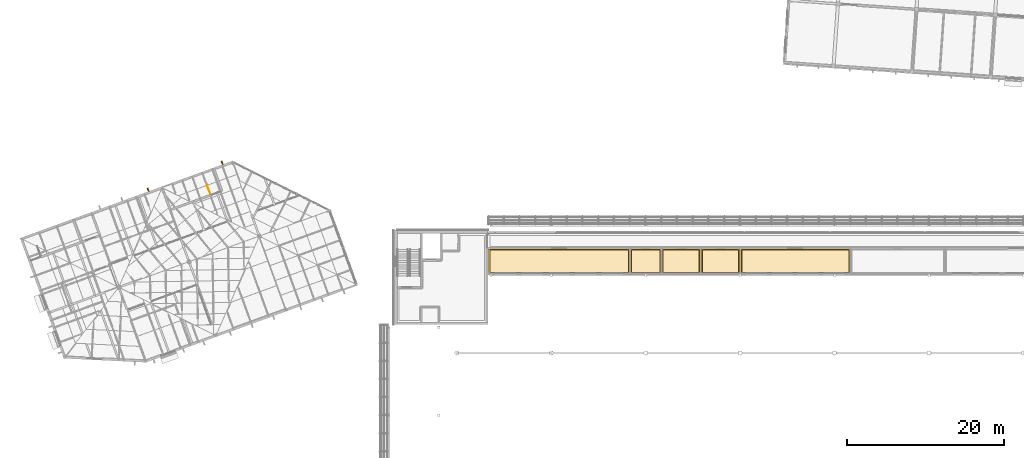
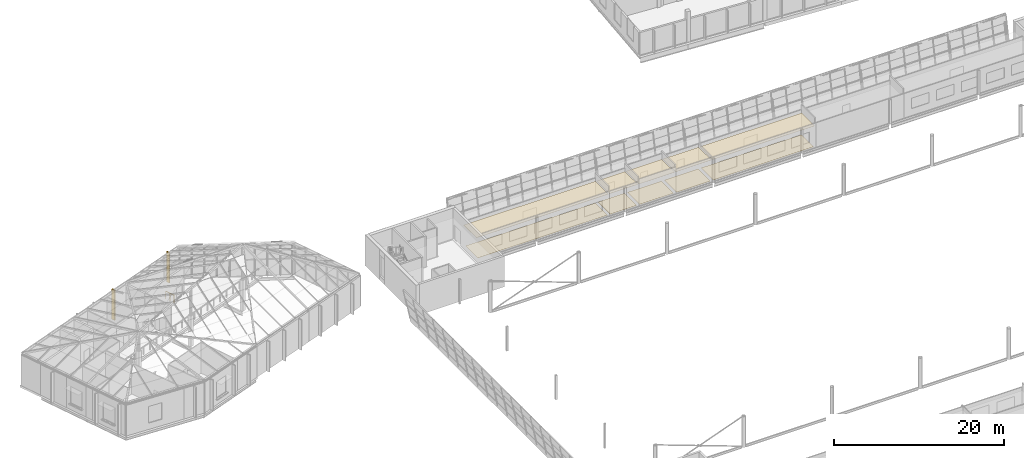
# One storey, part 85 of 95: 10 coverings, 2 shading devices, 1 railing.
"""IFC4 building model written with IfcOpenShell, lengths in metres."""

from ifc_helpers import new_model, si_unit, direction, frame, origin, origin_2d, place, context, subcontext, project, spatial, polyline, circle, outline, extrude, material, layer, layer_set, type_object, element, save


model = new_model("IFC4")

# Units and contexts
model_context = context("Model", 3, precision=1e-05, world=origin(), true_north=direction((0.0, 1.0)))
body_context = subcontext(model_context, "Body", "Model", "MODEL_VIEW")
ifc_project = project(units=[si_unit("LENGTHUNIT", "METRE"), si_unit("AREAUNIT", "SQUARE_METRE"), si_unit("VOLUMEUNIT", "CUBIC_METRE"), si_unit("PLANEANGLEUNIT", "RADIAN"), si_unit("MASSUNIT", "GRAM", prefix="KILO")], contexts=[model_context])

# Site, building, storey
site_placement = place(None, origin())
site = spatial("IfcSite", under=ifc_project, at=site_placement, CompositionType="ELEMENT")
building_placement = place(site_placement, origin())
building = spatial("IfcBuilding", under=site, at=building_placement, Name="Windward Yard Aquatics Centre", CompositionType="ELEMENT")
storey_placement = place(building_placement, frame((0.0, 0.0, 9.39990234375)))
storey = spatial("IfcBuildingStorey", under=building, at=storey_placement, Name="L02", CompositionType="ELEMENT", Elevation=9.39990234375)

# Railing
ifc_material_1 = material(Name="Stainless steel 1.4401", Category="steel")
railing_type = type_object("IfcRailingType", Name="F guard 1100 stainless steel", PredefinedType="GUARDRAIL", material=ifc_material_1)
railing_placement = place(storey_placement, frame((28.69091796875, 100.614990234375, 0.0)))
element("IfcRailing", 1, at=railing_placement, inside=storey, type_object=railing_type, Name="F.RL.G.L02.S2", PredefinedType="GUARDRAIL", context=body_context, shape_type="SweptSolid", body=[
    extrude(circle(Radius=0.02392578125, at=origin_2d()), frame((0.0, 0.0, 1.076171875), z_axis=(-0.342182115592, 0.939633651892, 0.0), x_axis=(-0.939633651892, -0.342182115592, 0.0)), (0.0, 0.0, 1.0), 1.25),
    extrude(circle(Radius=0.02099609375, at=origin_2d()), origin(), (0.0, 0.0, 1.0), 1.052001953125),
    extrude(circle(Radius=0.02099609375, at=origin_2d()), frame((-0.2138671875, 0.58740234375, 0.0)), (0.0, 0.0, 1.0), 1.052001953125),
    extrude(circle(Radius=0.02099609375, at=origin_2d()), frame((-0.427734375, 1.174560546875, 0.0)), (0.0, 0.0, 1.0), 1.052001953125),
])

# Shading devices
ifc_material_2 = material(Name="Aluminium fin, powder coated", Category="aluminium")
shading_device_type = type_object("IfcShadingDeviceType", Name="F vertical fin 150x450", PredefinedType="USERDEFINED", material=ifc_material_2)
shading_device_1_placement = place(storey_placement, origin())
element("IfcShadingDevice", 2, at=shading_device_1_placement, inside=storey, type_object=shading_device_type, Name="Vertical fin F.WL.L02.E07.1.1", ObjectType="FIN", PredefinedType="USERDEFINED", context=body_context, shape_type="SweptSolid", body=[
    extrude(outline(polyline([(30.056640625, 104.7568359375), (30.197509765625, 104.80810546875), (30.351318359375, 104.38525390625), (30.21044921875, 104.333984375), (30.056640625, 104.7568359375)])), origin(), (0.0, 0.0, 1.0), 4.35009765625),
])
shading_device_2_placement = place(storey_placement, origin())
element("IfcShadingDevice", 3, at=shading_device_2_placement, inside=storey, type_object=shading_device_type, Name="Vertical fin F.WL.L02.E08.1.1", ObjectType="FIN", PredefinedType="USERDEFINED", context=body_context, shape_type="SweptSolid", body=[
    extrude(outline(polyline([(20.65966796875, 101.336669921875), (20.800537109375, 101.387939453125), (20.95458984375, 100.965087890625), (20.813720703125, 100.913818359375), (20.65966796875, 101.336669921875)])), origin(), (0.0, 0.0, 1.0), 4.35009765625),
])

# Coverings
ifc_material_3 = material(Name="Polished screed")
ifc_layer_1 = layer(ifc_material_3, 0.0400390625)
ifc_layer_set_1 = layer_set([ifc_layer_1], Name="H Floor Finish Screed 40")
covering_type_1 = type_object("IfcCoveringType", Name="H Floor Finish Screed 40", PredefinedType="FLOORING", material=ifc_layer_set_1)
covering_1_placement = place(storey_placement, origin())
element("IfcCovering", 4, at=covering_1_placement, inside=storey, type_object=covering_type_1, Name="Hospitality Lounge floor finish", PredefinedType="FLOORING", context=body_context, shape_type="SweptSolid", body=[
    extrude(outline(polyline([(64.199951171875, 90.640380859375), (64.199951171875, 93.5), (81.800048828125, 93.5), (81.800048828125, 90.640380859375), (64.199951171875, 90.640380859375)])), origin(), (0.0, 0.0, 1.0), 0.02001953125),
])
covering_2_placement = place(storey_placement, origin())
element("IfcCovering", 5, at=covering_2_placement, inside=storey, type_object=covering_type_1, Name="Commentary Booths floor finish", PredefinedType="FLOORING", context=body_context, shape_type="SweptSolid", body=[
    extrude(outline(polyline([(96.199951171875, 90.640380859375), (96.199951171875, 93.5), (109.800048828125, 93.5), (109.800048828125, 90.640380859375), (96.199951171875, 90.640380859375)])), origin(), (0.0, 0.0, 1.0), 0.02001953125),
])
ifc_material_4 = material(Name="Ceramic tile")
ifc_layer_2 = layer(ifc_material_4, 0.02001953125)
ifc_layer_set_2 = layer_set([ifc_layer_2], Name="H Floor Finish Tile 20")
covering_type_2 = type_object("IfcCoveringType", Name="H Floor Finish Tile 20", PredefinedType="FLOORING", material=ifc_layer_set_2)
covering_3_placement = place(storey_placement, origin())
element("IfcCovering", 6, at=covering_3_placement, inside=storey, type_object=covering_type_2, Name="Accessible WC floor finish", PredefinedType="FLOORING", context=body_context, shape_type="SweptSolid", body=[
    extrude(outline(polyline([(82.199951171875, 90.640380859375), (82.199951171875, 93.5), (85.800048828125, 93.5), (85.800048828125, 90.640380859375), (82.199951171875, 90.640380859375)])), origin(), (0.0, 0.0, 1.0), 0.02001953125),
])
covering_4_placement = place(storey_placement, origin())
element("IfcCovering", 7, at=covering_4_placement, inside=storey, type_object=covering_type_2, Name="Upper WC Women floor finish", PredefinedType="FLOORING", context=body_context, shape_type="SweptSolid", body=[
    extrude(outline(polyline([(86.199951171875, 90.640380859375), (86.199951171875, 93.5), (90.800048828125, 93.5), (90.800048828125, 90.640380859375), (86.199951171875, 90.640380859375)])), origin(), (0.0, 0.0, 1.0), 0.02001953125),
])
covering_5_placement = place(storey_placement, origin())
element("IfcCovering", 8, at=covering_5_placement, inside=storey, type_object=covering_type_2, Name="Upper WC Men floor finish", PredefinedType="FLOORING", context=body_context, shape_type="SweptSolid", body=[
    extrude(outline(polyline([(91.199951171875, 90.640380859375), (91.199951171875, 93.5), (95.800048828125, 93.5), (95.800048828125, 90.640380859375), (91.199951171875, 90.640380859375)])), origin(), (0.0, 0.0, 1.0), 0.02001953125),
])
ifc_material_5 = material(Name="Aluminium plank", Category="aluminium")
ifc_layer_3 = layer(ifc_material_5, 0.02001953125)
ifc_layer_set_3 = layer_set([ifc_layer_3], Name="H Moisture Resistant Ceiling")
covering_type_3 = type_object("IfcCoveringType", Name="H Moisture Resistant Ceiling", PredefinedType="CEILING", material=ifc_layer_set_3)
covering_6_placement = place(storey_placement, frame((0.0, 0.0, 3.0)))
element("IfcCovering", 9, at=covering_6_placement, inside=storey, type_object=covering_type_3, Name="Accessible WC ceiling", PredefinedType="CEILING", context=body_context, shape_type="SweptSolid", body=[
    extrude(outline(polyline([(82.075439453125, 90.5908203125), (82.075439453125, 93.62451171875), (85.924560546875, 93.62451171875), (85.924560546875, 90.5908203125), (82.075439453125, 90.5908203125)])), origin(), (0.0, 0.0, 1.0), 0.02001953125),
])
covering_7_placement = place(storey_placement, frame((0.0, 0.0, 3.0)))
element("IfcCovering", 10, at=covering_7_placement, inside=storey, type_object=covering_type_3, Name="Upper WC Women ceiling", PredefinedType="CEILING", context=body_context, shape_type="SweptSolid", body=[
    extrude(outline(polyline([(86.075439453125, 90.5908203125), (86.075439453125, 93.62451171875), (90.924560546875, 93.62451171875), (90.924560546875, 90.5908203125), (86.075439453125, 90.5908203125)])), origin(), (0.0, 0.0, 1.0), 0.02001953125),
])
covering_8_placement = place(storey_placement, frame((0.0, 0.0, 3.0)))
element("IfcCovering", 11, at=covering_8_placement, inside=storey, type_object=covering_type_3, Name="Upper WC Men ceiling", PredefinedType="CEILING", context=body_context, shape_type="SweptSolid", body=[
    extrude(outline(polyline([(91.075439453125, 90.5908203125), (91.075439453125, 93.62451171875), (95.924560546875, 93.62451171875), (95.924560546875, 90.5908203125), (91.075439453125, 90.5908203125)])), origin(), (0.0, 0.0, 1.0), 0.02001953125),
])
ifc_material_6 = material(Name="Mineral fibre tile")
ifc_layer_4 = layer(ifc_material_6, 0.02001953125)
ifc_layer_set_4 = layer_set([ifc_layer_4], Name="H Suspended Ceiling 600 x 600")
covering_type_4 = type_object("IfcCoveringType", Name="H Suspended Ceiling 600 x 600", PredefinedType="CEILING", material=ifc_layer_set_4)
covering_9_placement = place(storey_placement, frame((0.0, 0.0, 3.0)))
element("IfcCovering", 12, at=covering_9_placement, inside=storey, type_object=covering_type_4, Name="Hospitality Lounge ceiling", PredefinedType="CEILING", context=body_context, shape_type="SweptSolid", body=[
    extrude(outline(polyline([(64.00048828125, 90.5908203125), (64.00048828125, 93.62451171875), (81.924560546875, 93.62451171875), (81.924560546875, 90.5908203125), (64.00048828125, 90.5908203125)])), origin(), (0.0, 0.0, 1.0), 0.02001953125),
])
covering_10_placement = place(storey_placement, frame((0.0, 0.0, 3.0)))
element("IfcCovering", 13, at=covering_10_placement, inside=storey, type_object=covering_type_4, Name="Commentary Booths ceiling", PredefinedType="CEILING", context=body_context, shape_type="SweptSolid", body=[
    extrude(outline(polyline([(96.075439453125, 90.5908203125), (96.075439453125, 93.62451171875), (109.924560546875, 93.62451171875), (109.924560546875, 90.5908203125), (96.075439453125, 90.5908203125)])), origin(), (0.0, 0.0, 1.0), 0.02001953125),
])

save(model, "model.ifc")
